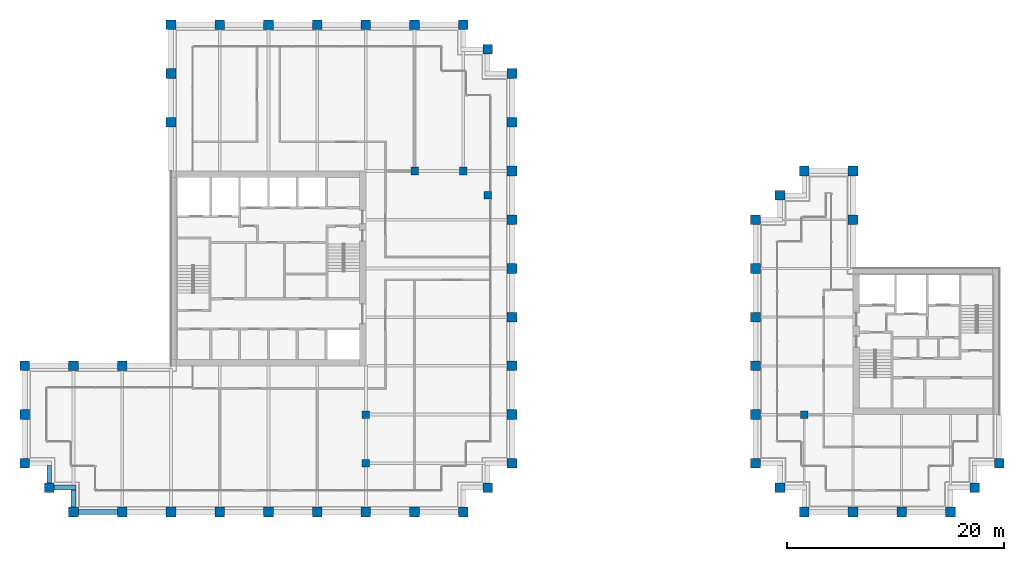
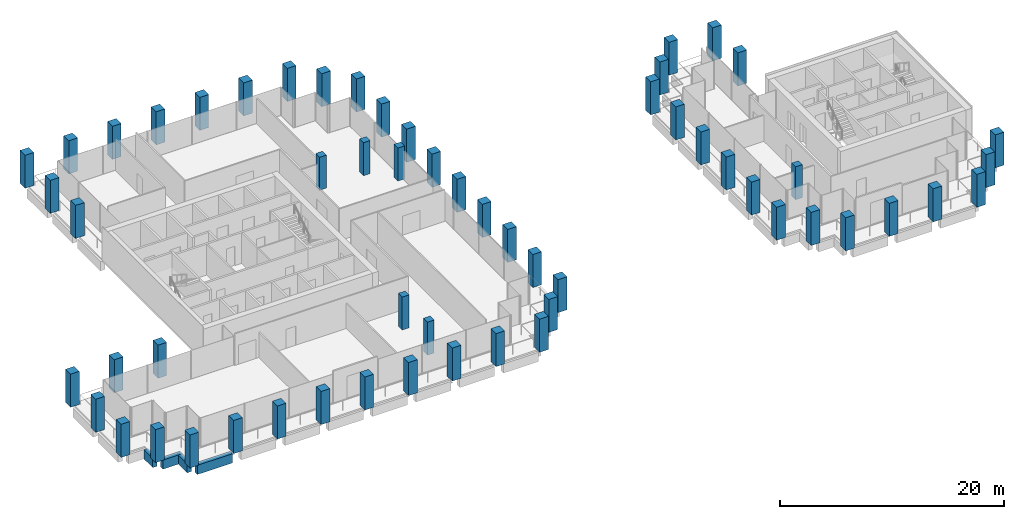
# One storey, part 1 of 40: 58 columns, 4 beams.
"""IFC4 building model written with IfcOpenShell, lengths in metres."""

import ifcopenshell
import ifcopenshell.guid

model = None  # the IFC model being written
_history = None  # IfcOwnerHistory: only IFC2X3 demands one
_inside = {}  # id of a spatial element -> (the spatial element, [elements in it])
_under = {}  # id of a project, library or spatial element -> (it, [spatial elements below it])
_declared = {}  # id of a project -> (the project, [libraries it declares])
_typed = {}  # id of a type object -> (the type object, [elements of that type])
_made_of = {}  # id of a material, layer set ... -> (it, [elements and type objects made of it])


def new_model(schema):
    """Start an empty IFC model of exactly this schema.

    Asked for "IFC4X3", IfcOpenShell would pick the latest addendum, in which some entities
    have other attributes; the version numbers below select the first issue.
    IFC2X3 requires an IfcOwnerHistory on every rooted entity: one is made here for all.
    """
    global model, _history
    if schema == "IFC4X3":
        model = ifcopenshell.file(schema_version=(4, 3, 0, 0))
    else:
        model = ifcopenshell.file(schema=schema)
    _inside.clear()
    _under.clear()
    _declared.clear()
    _typed.clear()
    _made_of.clear()
    _history = None
    if model.schema == "IFC2X3":
        org = make("IfcOrganization", Name="unknown")
        user = make(
            "IfcPersonAndOrganization",
            ThePerson=make("IfcPerson", FamilyName="unknown"),
            TheOrganization=org,
        )
        app = make(
            "IfcApplication",
            ApplicationDeveloper=org,
            Version="unknown",
            ApplicationFullName="unknown",
            ApplicationIdentifier="unknown",
        )
        _history = make(
            "IfcOwnerHistory",
            OwningUser=user,
            OwningApplication=app,
            ChangeAction="ADDED",
            CreationDate=0,
        )
    return model


def make(cls, **values):
    """One entity of the class cls with the attributes given. An attribute that is None is left unset."""
    return model.create_entity(
        cls, **{name: value for name, value in values.items() if value is not None}
    )


def rooted(cls, **values):
    """An entity with a GlobalId (a new one), such as an element, a storey or a relation."""
    return make(cls, GlobalId=ifcopenshell.guid.new(), OwnerHistory=_history, **values)


def si_unit(unit_type, name, prefix=None):
    """IfcSIUnit, for example si_unit("LENGTHUNIT", "METRE", prefix="MILLI")."""
    return make("IfcSIUnit", UnitType=unit_type, Prefix=prefix, Name=name)


def assignment(units):
    """IfcUnitAssignment: the units of a project."""
    return None if units is None else make("IfcUnitAssignment", Units=units)


def point(xyz):
    """IfcCartesianPoint."""
    return None if xyz is None else make("IfcCartesianPoint", Coordinates=xyz)


def direction(xyz):
    """IfcDirection."""
    return None if xyz is None else make("IfcDirection", DirectionRatios=xyz)


def frame(location, z_axis=None, x_axis=None):
    """IfcAxis2Placement3D, a coordinate frame: its origin and axes. An axis left out is left unset."""
    return make(
        "IfcAxis2Placement3D",
        Location=point(location),
        Axis=direction(z_axis),
        RefDirection=direction(x_axis),
    )


def frame_2d(location, x_axis=None):
    """IfcAxis2Placement2D, a coordinate frame in the plane: its origin and x axis."""
    return make(
        "IfcAxis2Placement2D", Location=point(location), RefDirection=direction(x_axis)
    )


def origin():
    """The frame at (0, 0, 0) with its axes left unset."""
    return frame((0.0, 0.0, 0.0))


def origin_2d():
    """The frame at (0, 0) in the plane with its x axis left unset."""
    return frame_2d((0.0, 0.0))


def place(relative_to, where):
    """IfcLocalPlacement: puts the frame where relative to a parent placement (None: the world)."""
    return make(
        "IfcLocalPlacement", PlacementRelTo=relative_to, RelativePlacement=where
    )


def context(
    kind, dimensions, precision=None, world=None, true_north=None, identifier=None
):
    """IfcGeometricRepresentationContext, for example the 3D "Model" context."""
    return make(
        "IfcGeometricRepresentationContext",
        ContextIdentifier=identifier,
        ContextType=kind,
        CoordinateSpaceDimension=dimensions,
        Precision=precision,
        WorldCoordinateSystem=world,
        TrueNorth=true_north,
    )


def subcontext(parent, identifier, kind, view, scale=None):
    """IfcGeometricRepresentationSubContext, for example "Body" below "Model"."""
    return make(
        "IfcGeometricRepresentationSubContext",
        ContextIdentifier=identifier,
        ContextType=kind,
        ParentContext=parent,
        TargetScale=scale,
        TargetView=view,
    )


def project(units=None, contexts=None):
    """IfcProject with its units and contexts."""
    return rooted(
        "IfcProject",
        Name="project",
        RepresentationContexts=contexts,
        UnitsInContext=assignment(units),
    )


def spatial(cls, under=None, at=None, **own):
    """A site, building, storey or space (cls), placed at a placement, below another one or the project."""
    s = rooted(cls, ObjectPlacement=at, **own)
    if under is not None:
        _under.setdefault(under.id(), (under, []))[1].append(s)
    return s


def profile(cls, at=None, kind="AREA", **sizes):
    """A parametric profile (cls). Its sizes go by their IFC names, for example OverallWidth=200.0."""
    return make(cls, ProfileType=kind, Position=at, **sizes)


def rectangle(**sizes):
    """IfcRectangleProfileDef."""
    return profile("IfcRectangleProfileDef", **sizes)


def extrude(swept, where, along, depth):
    """IfcExtrudedAreaSolid: the profile swept, set in the frame where, extruded along a direction by depth."""
    return make(
        "IfcExtrudedAreaSolid",
        SweptArea=swept,
        Position=where,
        ExtrudedDirection=direction(along),
        Depth=depth,
    )


def shape(context_of_items, identifier, shape_type, items):
    """IfcShapeRepresentation: the items that make up one representation, for example the "Body"."""
    return make(
        "IfcShapeRepresentation",
        ContextOfItems=context_of_items,
        RepresentationIdentifier=identifier,
        RepresentationType=shape_type,
        Items=items,
    )


def material(Name=None, Category=None):
    """IfcMaterial."""
    return make("IfcMaterial", Name=Name, Category=Category)


def material_profile(
    of_material, cross_section, Name=None, Category=None, Priority=None
):
    """IfcMaterialProfile: a cross section and its material."""
    return make(
        "IfcMaterialProfile",
        Name=Name,
        Material=of_material,
        Profile=cross_section,
        Priority=Priority,
        Category=Category,
    )


def profile_set(profiles, Name=None, composite=None):
    """IfcMaterialProfileSet."""
    return make(
        "IfcMaterialProfileSet",
        Name=Name,
        MaterialProfiles=profiles,
        CompositeProfile=composite,
    )


def made_of(thing, what):
    """Note that an element or type object is made of a material, layer set ...; save() writes the relation."""
    if what is not None:
        _made_of.setdefault(what.id(), (what, []))[1].append(thing)
    return thing


def type_object(cls, material=None, **own):
    """A type object (cls), such as IfcWallType, which elements share."""
    return made_of(rooted(cls, **own), material)


def element(
    cls,
    number,
    at=None,
    inside=None,
    cuts=None,
    type_object=None,
    material=None,
    context=None,
    identifier="Body",
    shape_type=None,
    held_by="IfcProductDefinitionShape",
    body=None,
    shapes=None,
    **own,
):
    """One element of the class cls, such as IfcWall. Its Tag is "e" and its number.

    at: its placement. inside: the storey or other place that contains it. cuts: it is an
    opening in that element (IfcRelVoidsElement). A single representation is given by context,
    identifier, shape_type and body (its items); several are given by shapes. held_by: the class
    of the entity that holds the representations. save() writes the other relations.
    """
    e = rooted(cls, Tag="e%d" % number, ObjectPlacement=at, **own)
    if body is not None:
        shapes = [shape(context, identifier, shape_type, body)]
    if shapes is not None:
        e.Representation = make(held_by, Representations=shapes)
    if inside is not None:
        _inside.setdefault(inside.id(), (inside, []))[1].append(e)
    if cuts is not None:
        rooted(
            "IfcRelVoidsElement", RelatingBuildingElement=cuts, RelatedOpeningElement=e
        )
    if type_object is not None:
        _typed.setdefault(type_object.id(), (type_object, []))[1].append(e)
    return made_of(e, material)


def aggregate(whole, parts):
    """IfcRelAggregates: a whole, such as a stair, and the parts it consists of."""
    return rooted("IfcRelAggregates", RelatingObject=whole, RelatedObjects=parts)


def save(model, path):
    """Write the relations noted so far, then the file.

    IfcRelAggregates (storeys below a building ...), IfcRelContainedInSpatialStructure (elements
    in a storey), IfcRelDefinesByType, IfcRelAssociatesMaterial and IfcRelDeclares: one each for
    every whole, place, type object, material and project.
    """
    for whole, parts in _under.values():
        aggregate(whole, parts)
    for where, things in _inside.values():
        rooted(
            "IfcRelContainedInSpatialStructure",
            RelatedElements=things,
            RelatingStructure=where,
        )
    for kind, things in _typed.values():
        rooted("IfcRelDefinesByType", RelatedObjects=things, RelatingType=kind)
    for what, things in _made_of.values():
        rooted("IfcRelAssociatesMaterial", RelatedObjects=things, RelatingMaterial=what)
    for by, libraries in _declared.values():
        rooted("IfcRelDeclares", RelatingContext=by, RelatedDefinitions=libraries)
    model.write(path)


model = new_model("IFC4")

# Units and contexts
model_context = context("Model", 3, precision=1e-05, world=origin(), true_north=direction((0.0, 1.0)))
body_context = subcontext(model_context, "Body", "Model", "MODEL_VIEW")
ifc_project = project(units=[si_unit("LENGTHUNIT", "METRE"), si_unit("AREAUNIT", "SQUARE_METRE"), si_unit("VOLUMEUNIT", "CUBIC_METRE"), si_unit("PLANEANGLEUNIT", "RADIAN"), si_unit("MASSUNIT", "GRAM", prefix="KILO")], contexts=[model_context])

# Site, building, storey
site_placement = place(None, origin())
site = spatial("IfcSite", under=ifc_project, at=site_placement, CompositionType="ELEMENT")
building_placement = place(site_placement, origin())
building = spatial("IfcBuilding", under=site, at=building_placement, Name="Altepetl Exchange Towers", CompositionType="ELEMENT")
storey_placement = place(building_placement, frame((0.0, 0.0, 161.800048828125)))
storey = spatial("IfcBuildingStorey", under=building, at=storey_placement, Name="L40", CompositionType="ELEMENT", Elevation=161.800048828125)

# Columns
ifc_material_1 = material(Name="Concrete C70/85", Category="concrete")
ifc_material_profile_1 = material_profile(ifc_material_1, rectangle(XDim=0.699951171875, YDim=0.699951171875, at=origin_2d()), Name="700 x 700")
ifc_profile_set_1 = profile_set([ifc_material_profile_1], Name="Concrete C70/85")
column_type_1 = type_object("IfcColumnType", Name="Interior column 700", PredefinedType="COLUMN", material=ifc_profile_set_1)
for number, where, name in (
    (1, (58.5, 31.5, 0.0), "col:A:L40:035"),
    (2, (58.5, 36.0, 0.0), "col:A:L40:036"),
    (3, (63.0, 58.5, 0.0), "col:A:L40:037"),
    (4, (67.5, 58.5, 0.0), "col:A:L40:038"),
    (5, (69.75, 56.25, 0.0), "col:A:L40:039"),
    (6, (99.0, 36.0, 0.0), "col:B:L40:017"),
):
    element("IfcColumn", number, at=place(storey_placement, frame(where)), inside=storey, type_object=column_type_1, Name=name, PredefinedType="COLUMN", context=body_context, shape_type="SweptSolid", body=[
        extrude(rectangle(XDim=0.699951171875, YDim=0.699951171875, at=origin_2d()), origin(), (0.0, 0.0, 1.0), 3.599853515625),
    ])
ifc_material_2 = material(Name="Concrete C70/85 precast with cantera amarilla facing", Category="concrete")
ifc_material_profile_2 = material_profile(ifc_material_2, rectangle(XDim=0.89990234375, YDim=0.89990234375, at=origin_2d()), Name="900 x 900")
ifc_profile_set_2 = profile_set([ifc_material_profile_2], Name="Concrete C70/85 precast with cantera amarilla facing")
column_type_2 = type_object("IfcColumnType", Name="Perimeter column 900 cantera amarilla", PredefinedType="COLUMN", material=ifc_profile_set_2)
for number, where, name in (
    (7, (58.5, 27.0, 0.0), "col:A:L40:006"),
    (8, (63.0, 27.0, 0.0), "col:A:L40:007"),
    (9, (67.5, 27.0, 0.0), "col:A:L40:008"),
    (10, (69.75, 29.25, 0.0), "col:A:L40:009"),
    (11, (72.0, 31.5, 0.0), "col:A:L40:010"),
    (12, (72.0, 36.0, 0.0), "col:A:L40:011"),
    (13, (72.0, 40.5, 0.0), "col:A:L40:012"),
    (14, (72.0, 45.0, 0.0), "col:A:L40:013"),
    (15, (72.0, 49.5, 0.0), "col:A:L40:014"),
    (16, (72.0, 54.0, 0.0), "col:A:L40:015"),
):
    element("IfcColumn", number, at=place(storey_placement, frame(where)), inside=storey, type_object=column_type_2, Name=name, PredefinedType="COLUMN", context=body_context, shape_type="SweptSolid", body=[
        extrude(rectangle(XDim=0.89990234375, YDim=0.89990234375, at=origin_2d()), origin(), (0.0, 0.0, 1.0), 3.599853515625),
    ])
ifc_material_3 = material(Name="Concrete C70/85 precast with cantera blanca facing", Category="concrete")
ifc_material_profile_3 = material_profile(ifc_material_3, rectangle(XDim=0.89990234375, YDim=0.89990234375, at=origin_2d()), Name="900 x 900")
ifc_profile_set_3 = profile_set([ifc_material_profile_3], Name="Concrete C70/85 precast with cantera blanca facing")
column_type_3 = type_object("IfcColumnType", Name="Perimeter column 900 cantera blanca", PredefinedType="COLUMN", material=ifc_profile_set_3)
for number, where, name in (
    (17, (31.5, 27.0, 0.0), "col:A:L40:000"),
    (18, (36.0, 27.0, 0.0), "col:A:L40:001"),
    (19, (40.5, 27.0, 0.0), "col:A:L40:002"),
    (20, (45.0, 27.0, 0.0), "col:A:L40:003"),
    (21, (49.5, 27.0, 0.0), "col:A:L40:004"),
    (22, (54.0, 27.0, 0.0), "col:A:L40:005"),
    (23, (27.0, 36.0, 0.0), "col:A:L40:032"),
    (24, (27.0, 31.5, 0.0), "col:A:L40:033"),
    (25, (29.25, 29.25, 0.0), "col:A:L40:034"),
    (26, (117.0, 31.5, 0.0), "col:B:L40:005"),
):
    element("IfcColumn", number, at=place(storey_placement, frame(where)), inside=storey, type_object=column_type_3, Name=name, PredefinedType="COLUMN", context=body_context, shape_type="SweptSolid", body=[
        extrude(rectangle(XDim=0.89990234375, YDim=0.89990234375, at=origin_2d()), origin(), (0.0, 0.0, 1.0), 3.599853515625),
    ])
ifc_material_4 = material(Name="Concrete C70/85 precast with cantera rosa facing", Category="concrete")
ifc_material_profile_4 = material_profile(ifc_material_4, rectangle(XDim=0.89990234375, YDim=0.89990234375, at=origin_2d()), Name="900 x 900")
ifc_profile_set_4 = profile_set([ifc_material_profile_4], Name="Concrete C70/85 precast with cantera rosa facing")
column_type_4 = type_object("IfcColumnType", Name="Perimeter column 900 cantera rosa", PredefinedType="COLUMN", material=ifc_profile_set_4)
for number, where, name in (
    (27, (72.0, 58.5, 0.0), "col:A:L40:016"),
    (28, (72.0, 63.0, 0.0), "col:A:L40:017"),
    (29, (72.0, 67.5, 0.0), "col:A:L40:018"),
    (30, (69.75, 69.75, 0.0), "col:A:L40:019"),
    (31, (67.5, 72.0, 0.0), "col:A:L40:020"),
    (32, (63.0, 72.0, 0.0), "col:A:L40:021"),
    (33, (58.5, 72.0, 0.0), "col:A:L40:022"),
    (34, (54.0, 72.0, 0.0), "col:A:L40:023"),
    (35, (49.5, 72.0, 0.0), "col:A:L40:024"),
    (36, (45.0, 72.0, 0.0), "col:A:L40:025"),
    (37, (103.5, 54.0, 0.0), "col:B:L40:006"),
    (38, (103.5, 58.5, 0.0), "col:B:L40:007"),
    (39, (99.0, 58.5, 0.0), "col:B:L40:008"),
    (40, (96.75, 56.25, 0.0), "col:B:L40:009"),
    (41, (94.5, 54.0, 0.0), "col:B:L40:010"),
    (42, (94.5, 49.5, 0.0), "col:B:L40:011"),
    (43, (94.5, 45.0, 0.0), "col:B:L40:012"),
    (44, (94.5, 40.5, 0.0), "col:B:L40:013"),
    (45, (94.5, 36.0, 0.0), "col:B:L40:014"),
):
    element("IfcColumn", number, at=place(storey_placement, frame(where)), inside=storey, type_object=column_type_4, Name=name, PredefinedType="COLUMN", context=body_context, shape_type="SweptSolid", body=[
        extrude(rectangle(XDim=0.89990234375, YDim=0.89990234375, at=origin_2d()), origin(), (0.0, 0.0, 1.0), 3.599853515625),
    ])
ifc_material_5 = material(Name="Concrete C70/85 precast with tezontle facing", Category="concrete")
ifc_material_profile_5 = material_profile(ifc_material_5, rectangle(XDim=0.89990234375, YDim=0.89990234375, at=origin_2d()), Name="900 x 900")
ifc_profile_set_5 = profile_set([ifc_material_profile_5], Name="Concrete C70/85 precast with tezontle facing")
column_type_5 = type_object("IfcColumnType", Name="Perimeter column 900 tezontle", PredefinedType="COLUMN", material=ifc_profile_set_5)
for number, where, name in (
    (46, (40.5, 72.0, 0.0), "col:A:L40:026"),
    (47, (40.5, 67.5, 0.0), "col:A:L40:027"),
    (48, (40.5, 63.0, 0.0), "col:A:L40:028"),
    (49, (36.0, 40.5, 0.0), "col:A:L40:029"),
    (50, (31.5, 40.5, 0.0), "col:A:L40:030"),
    (51, (27.0, 40.5, 0.0), "col:A:L40:031"),
    (52, (99.0, 27.0, 0.0), "col:B:L40:000"),
    (53, (103.5, 27.0, 0.0), "col:B:L40:001"),
    (54, (108.0, 27.0, 0.0), "col:B:L40:002"),
    (55, (112.5, 27.0, 0.0), "col:B:L40:003"),
    (56, (114.75, 29.25, 0.0), "col:B:L40:004"),
    (57, (94.5, 31.5, 0.0), "col:B:L40:015"),
    (58, (96.75, 29.25, 0.0), "col:B:L40:016"),
):
    element("IfcColumn", number, at=place(storey_placement, frame(where)), inside=storey, type_object=column_type_5, Name=name, PredefinedType="COLUMN", context=body_context, shape_type="SweptSolid", body=[
        extrude(rectangle(XDim=0.89990234375, YDim=0.89990234375, at=origin_2d()), origin(), (0.0, 0.0, 1.0), 3.599853515625),
    ])

# Beams
ifc_material_6 = material(Name="Concrete C50/60 precast with cantera blanca facing", Category="concrete")
ifc_material_profile_6 = material_profile(ifc_material_6, rectangle(XDim=0.449951171875, YDim=1.0, at=origin_2d()), Name="450 x 1000")
ifc_profile_set_6 = profile_set([ifc_material_profile_6], Name="Concrete C50/60 precast with cantera blanca facing")
beam_type = type_object("IfcBeamType", Name="Spandrel beam 450x1000 cantera blanca", PredefinedType="SPANDREL", material=ifc_profile_set_6)
beam_1_placement = place(storey_placement, frame((31.949951171875, 27.0, -0.650146484375), z_axis=(1.0, 0.0, 0.0), x_axis=(0.0, 1.0, 0.0)))
element("IfcBeam", 59, at=beam_1_placement, inside=storey, type_object=beam_type, Name="sp:A:L40:000", PredefinedType="SPANDREL", context=body_context, shape_type="SweptSolid", body=[
    extrude(rectangle(XDim=0.449951171875, YDim=1.0, at=origin_2d()), origin(), (0.0, 0.0, 1.0), 3.60009765625),
])
beam_2_placement = place(storey_placement, frame((29.25, 31.27490234375, -0.650146484375), z_axis=(0.0, -1.0, 0.0), x_axis=(1.0, 0.0, 0.0)))
element("IfcBeam", 60, at=beam_2_placement, inside=storey, type_object=beam_type, Name="sp:A:L40:039", PredefinedType="SPANDREL", context=body_context, shape_type="SweptSolid", body=[
    extrude(rectangle(XDim=0.449951171875, YDim=1.0, at=origin_2d()), origin(), (0.0, 0.0, 1.0), 1.574951171875),
])
beam_3_placement = place(storey_placement, frame((29.699951171875, 29.25, -0.650146484375), z_axis=(1.0, 0.0, 0.0), x_axis=(0.0, 1.0, 0.0)))
element("IfcBeam", 61, at=beam_3_placement, inside=storey, type_object=beam_type, Name="sp:A:L40:040", PredefinedType="SPANDREL", context=body_context, shape_type="SweptSolid", body=[
    extrude(rectangle(XDim=0.449951171875, YDim=1.0, at=origin_2d()), origin(), (0.0, 0.0, 1.0), 2.025146484375),
])
beam_4_placement = place(storey_placement, frame((31.5, 29.02490234375, -0.650146484375), z_axis=(0.0, -1.0, 0.0), x_axis=(1.0, 0.0, 0.0)))
element("IfcBeam", 62, at=beam_4_placement, inside=storey, type_object=beam_type, Name="sp:A:L40:041", PredefinedType="SPANDREL", context=body_context, shape_type="SweptSolid", body=[
    extrude(rectangle(XDim=0.449951171875, YDim=1.0, at=origin_2d()), origin(), (0.0, 0.0, 1.0), 1.574951171875),
])

save(model, "model.ifc")
